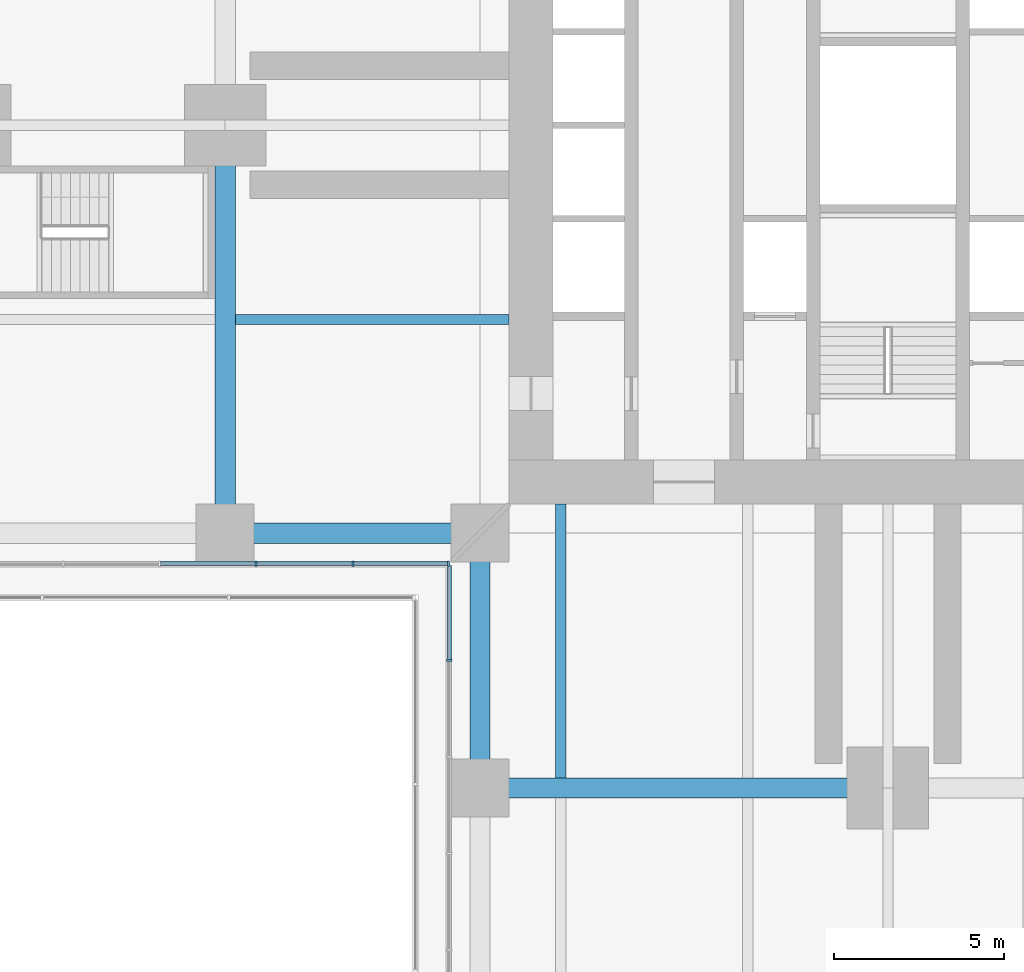
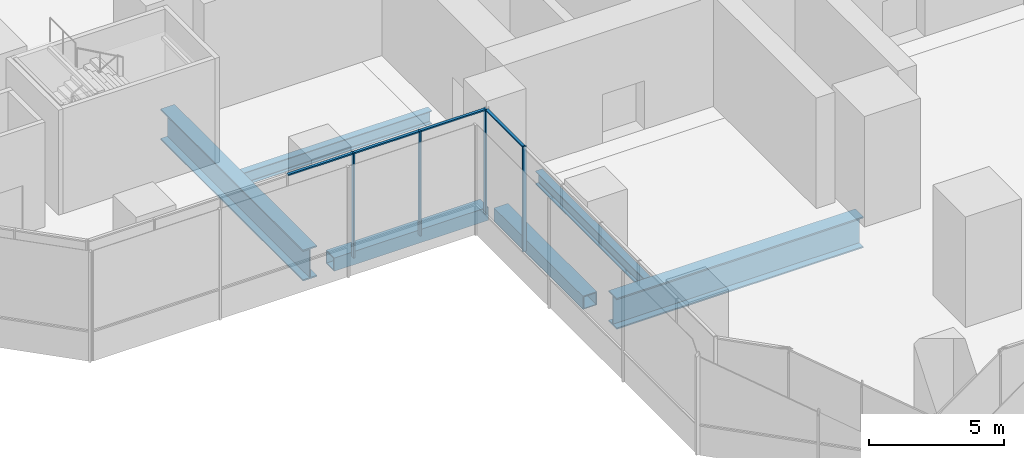
# One storey, part 4 of 23: 8 members, 6 beams, 2 elements without a shape of their own.
"""IFC4 building model written with IfcOpenShell, lengths in metres."""

from ifc_helpers import new_model, si_unit, direction, frame, origin, origin_2d, place, context, subcontext, project, spatial, rectangle, hollow_rectangle, i_section, extrude, material, material_profile, profile_set, type_object, element, aggregate, save


model = new_model("IFC4")

# Units and contexts
model_context = context("Model", 3, precision=1e-05, world=origin(), true_north=direction((0.0, 1.0)))
body_context = subcontext(model_context, "Body", "Model", "MODEL_VIEW")
ifc_project = project(units=[si_unit("LENGTHUNIT", "METRE"), si_unit("AREAUNIT", "SQUARE_METRE"), si_unit("VOLUMEUNIT", "CUBIC_METRE"), si_unit("PLANEANGLEUNIT", "RADIAN"), si_unit("MASSUNIT", "GRAM", prefix="KILO")], contexts=[model_context])

# Site, building, storey
site_placement = place(None, origin())
site = spatial("IfcSite", under=ifc_project, at=site_placement, CompositionType="ELEMENT")
building_placement = place(site_placement, origin())
building = spatial("IfcBuilding", under=site, at=building_placement, Name="Mizan Broadcast Tower", CompositionType="ELEMENT")
storey_placement = place(building_placement, frame((0.0, 0.0, 28.0)))
storey = spatial("IfcBuildingStorey", under=building, at=storey_placement, Name="L04", CompositionType="ELEMENT", Elevation=28.0)

# Beams
ifc_material_1 = material(Name="Steel S355", Category="steel")
ifc_material_profile_1 = material_profile(ifc_material_1, hollow_rectangle(XDim=0.60009765625, YDim=0.60009765625, WallThickness=0.0400390625, at=origin_2d()), Name="BOX 600x600x40")
ifc_profile_set_1 = profile_set([ifc_material_profile_1], Name="Steel S355")
beam_type_1 = type_object("IfcBeamType", Name="EDGE BEAM BOX 600x600x40", PredefinedType="SPANDREL", material=ifc_profile_set_1)
for number, where, z_axis, x_axis, name in (
    (1, (-12.449951171875, -12.0, -0.550048828125), (-1.0, 0.0, 0.0), (0.0, -1.0, 0.0), "Edge beam BOX 600x600x40 L04 west arm"),
    (2, (-12.0, -12.449951171875, -0.550048828125), (0.0, -1.0, 0.0), (1.0, 0.0, 0.0), "Edge beam BOX 600x600x40 L04 south arm"),
):
    element("IfcBeam", number, at=place(storey_placement, frame(where, z_axis=z_axis, x_axis=x_axis)), inside=storey, type_object=beam_type_1, Name=name, PredefinedType="SPANDREL", context=body_context, shape_type="SweptSolid", body=[
        extrude(hollow_rectangle(XDim=0.60009765625, YDim=0.60009765625, WallThickness=0.0400390625, at=origin_2d()), origin(), (0.0, 0.0, 1.0), 6.60009765625),
    ])
ifc_material_2 = material(Name="Steel S460", Category="steel")
ifc_material_profile_2 = material_profile(ifc_material_2, i_section(OverallWidth=0.60009765625, OverallDepth=1.39990234375, WebThickness=0.02490234375, FlangeThickness=0.06005859375, at=origin_2d()), Name="WPG 1400x600")
ifc_profile_set_2 = profile_set([ifc_material_profile_2], Name="Steel S460")
beam_type_2 = type_object("IfcBeamType", Name="GIRDER WPG 1400x600", PredefinedType="BEAM", material=ifc_profile_set_2)
for number, where, z_axis, x_axis, name in (
    (3, (-19.5, -0.719970703125, -0.949951171875), (0.0, -1.0, 0.0), (1.0, 0.0, 0.0), "Girder WPG 1400x600 L04 west arm"),
    (4, (-11.280029296875, -19.5, -0.949951171875), (1.0, 0.0, 0.0), (0.0, 1.0, 0.0), "Girder WPG 1400x600 L04 south arm"),
):
    element("IfcBeam", number, at=place(storey_placement, frame(where, z_axis=z_axis, x_axis=x_axis)), inside=storey, type_object=beam_type_2, Name=name, PredefinedType="BEAM", context=body_context, shape_type="SweptSolid", body=[
        extrude(i_section(OverallWidth=0.60009765625, OverallDepth=1.39990234375, WebThickness=0.02490234375, FlangeThickness=0.06005859375, at=origin_2d()), origin(), (0.0, 0.0, 1.0), 10.56005859375),
    ])

# Curtain wall, members
ifc_material_3 = material(Name="Aluminium framed glazing", Category="aluminium")
curtain_wall_type = type_object("IfcCurtainWallType", Name="PODIUM CURTAIN WALL", PredefinedType="USERDEFINED", material=ifc_material_3)
curtain_wall_1_placement = place(storey_placement, origin())
curtain_wall_1 = element("IfcCurtainWall", 5, at=curtain_wall_1_placement, inside=storey, type_object=curtain_wall_type, Name="Podium curtain wall L04 W side", ObjectType="PODIUM CURTAIN WALL", PredefinedType="USERDEFINED")
ifc_material_4 = material(Name="Aluminium, pale anodised", Category="aluminium")
ifc_material_profile_3 = material_profile(ifc_material_4, rectangle(XDim=0.159912109375, YDim=0.06005859375, at=origin_2d()), Name="MULLION 160x60")
ifc_profile_set_3 = profile_set([ifc_material_profile_3], Name="Aluminium, pale anodised")
member_type_1 = type_object("IfcMemberType", Name="INNER SKIN MULLION 60x160", PredefinedType="MULLION", material=ifc_profile_set_3)
member_1_placement = place(storey_placement, frame((-18.586181640625, -12.89990234375, 0.0), z_axis=(0.0, 0.0, 1.0), x_axis=(0.0, 1.0, 0.0)))
member_1 = element("IfcMember", 6, at=member_1_placement, type_object=member_type_1, Name="Podium curtain wall L04 W side mullion 5", PredefinedType="MULLION", context=body_context, shape_type="SweptSolid", body=[
    extrude(rectangle(XDim=0.159912109375, YDim=0.06005859375, at=origin_2d()), origin(), (0.0, 0.0, 1.0), 4.75),
])
member_2_placement = place(storey_placement, frame((-15.7431640625, -12.89990234375, 0.0), z_axis=(0.0, 0.0, 1.0), x_axis=(0.0, 1.0, 0.0)))
member_2 = element("IfcMember", 7, at=member_2_placement, type_object=member_type_1, Name="Podium curtain wall L04 W side mullion 6", PredefinedType="MULLION", context=body_context, shape_type="SweptSolid", body=[
    extrude(rectangle(XDim=0.159912109375, YDim=0.06005859375, at=origin_2d()), origin(), (0.0, 0.0, 1.0), 4.75),
])
member_3_placement = place(storey_placement, frame((-12.929931640625, -12.89990234375, 0.0), z_axis=(0.0, 0.0, 1.0), x_axis=(0.0, 1.0, 0.0)))
member_3 = element("IfcMember", 8, at=member_3_placement, type_object=member_type_1, Name="Podium curtain wall L04 W side mullion 7", PredefinedType="MULLION", context=body_context, shape_type="SweptSolid", body=[
    extrude(rectangle(XDim=0.159912109375, YDim=0.06005859375, at=origin_2d()), origin(), (0.0, 0.0, 1.0), 4.75),
])

# Curtain wall, member
curtain_wall_2_placement = place(storey_placement, origin())
curtain_wall_2 = element("IfcCurtainWall", 9, at=curtain_wall_2_placement, inside=storey, type_object=curtain_wall_type, Name="Podium curtain wall L04 S side", ObjectType="PODIUM CURTAIN WALL", PredefinedType="USERDEFINED")
member_4_placement = place(storey_placement, frame((-12.89990234375, -15.7431640625, 0.0), z_axis=(0.0, 0.0, 1.0), x_axis=(1.0, 0.0, 0.0)))
member_4 = element("IfcMember", 10, at=member_4_placement, type_object=member_type_1, Name="Podium curtain wall L04 S side mullion 2", PredefinedType="MULLION", context=body_context, shape_type="SweptSolid", body=[
    extrude(rectangle(XDim=0.159912109375, YDim=0.06005859375, at=origin_2d()), origin(), (0.0, 0.0, 1.0), 4.75),
])

# Member
ifc_material_5 = material(Name="Aluminium, pale anodised", Category="aluminium")
ifc_material_profile_4 = material_profile(ifc_material_5, rectangle(XDim=0.1201171875, YDim=0.06005859375, at=origin_2d()), Name="TRANSOM 120x60")
ifc_profile_set_4 = profile_set([ifc_material_profile_4], Name="Aluminium, pale anodised")
member_type_2 = type_object("IfcMemberType", Name="INNER SKIN TRANSOM 60x120", PredefinedType="USERDEFINED", material=ifc_profile_set_4)
member_5_placement = place(storey_placement, frame((-21.399169921875, -12.89990234375, 4.719970703125), z_axis=(1.0, 0.0, 0.0), x_axis=(0.0, 1.0, 0.0)))
member_5 = element("IfcMember", 11, at=member_5_placement, type_object=member_type_2, Name="Podium curtain wall L04 W side transom 4.1", ObjectType="TRANSOM", PredefinedType="USERDEFINED", context=body_context, shape_type="SweptSolid", body=[
    extrude(rectangle(XDim=0.1201171875, YDim=0.06005859375, at=origin_2d()), origin(), (0.0, 0.0, 1.0), 2.782958984375),
])

member_6_placement = place(storey_placement, frame((-18.55615234375, -12.89990234375, 4.719970703125), z_axis=(1.0, 0.0, 0.0), x_axis=(0.0, 1.0, 0.0)))
member_6 = element("IfcMember", 12, at=member_6_placement, type_object=member_type_2, Name="Podium curtain wall L04 W side transom 5.1", ObjectType="TRANSOM", PredefinedType="USERDEFINED", context=body_context, shape_type="SweptSolid", body=[
    extrude(rectangle(XDim=0.1201171875, YDim=0.06005859375, at=origin_2d()), origin(), (0.0, 0.0, 1.0), 2.782958984375),
])

member_7_placement = place(storey_placement, frame((-15.713134765625, -12.89990234375, 4.719970703125), z_axis=(1.0, 0.0, 0.0), x_axis=(0.0, 1.0, 0.0)))
member_7 = element("IfcMember", 13, at=member_7_placement, type_object=member_type_2, Name="Podium curtain wall L04 W side transom 6.1", ObjectType="TRANSOM", PredefinedType="USERDEFINED", context=body_context, shape_type="SweptSolid", body=[
    extrude(rectangle(XDim=0.1201171875, YDim=0.06005859375, at=origin_2d()), origin(), (0.0, 0.0, 1.0), 2.753173828125),
])

aggregate(curtain_wall_1, [member_1, member_2, member_3, member_5, member_6, member_7])

member_8_placement = place(storey_placement, frame((-12.89990234375, -12.9599609375, 4.719970703125), z_axis=(0.0, -1.0, 0.0), x_axis=(1.0, 0.0, 0.0)))
member_8 = element("IfcMember", 14, at=member_8_placement, type_object=member_type_2, Name="Podium curtain wall L04 S side transom 1.1", ObjectType="TRANSOM", PredefinedType="USERDEFINED", context=body_context, shape_type="SweptSolid", body=[
    extrude(rectangle(XDim=0.1201171875, YDim=0.06005859375, at=origin_2d()), origin(), (0.0, 0.0, 1.0), 2.753173828125),
])

aggregate(curtain_wall_2, [member_4, member_8])

# Beams
ifc_material_6 = material(Name="Steel S355", Category="steel")
ifc_material_profile_5 = material_profile(ifc_material_6, i_section(OverallWidth=0.300048828125, OverallDepth=0.590087890625, WebThickness=0.012939453125, FlangeThickness=0.02490234375, FilletRadius=0.027099609375, at=origin_2d()), Name="HEA 600")
ifc_profile_set_5 = profile_set([ifc_material_profile_5], Name="Steel S355")
beam_type_3 = type_object("IfcBeamType", Name="SECONDARY BEAM HEA 600", PredefinedType="JOIST", material=ifc_profile_set_5)
for number, where, z_axis, x_axis, name in (
    (15, (-11.14990234375, -5.71435546875, -0.544921875), (-1.0, 0.0, 0.0), (0.0, -1.0, 0.0), "Secondary beam HEA 600 L04 west arm"),
    (16, (-9.625, -11.14990234375, -0.544921875), (0.0, -1.0, 0.0), (1.0, 0.0, 0.0), "Secondary beam HEA 600 L04 south arm"),
):
    element("IfcBeam", number, at=place(storey_placement, frame(where, z_axis=z_axis, x_axis=x_axis)), inside=storey, type_object=beam_type_3, Name=name, PredefinedType="JOIST", context=body_context, shape_type="SweptSolid", body=[
        extrude(i_section(OverallWidth=0.300048828125, OverallDepth=0.590087890625, WebThickness=0.012939453125, FlangeThickness=0.02490234375, FilletRadius=0.027099609375, at=origin_2d()), origin(), (0.0, 0.0, 1.0), 8.050048828125),
    ])

save(model, "model.ifc")
